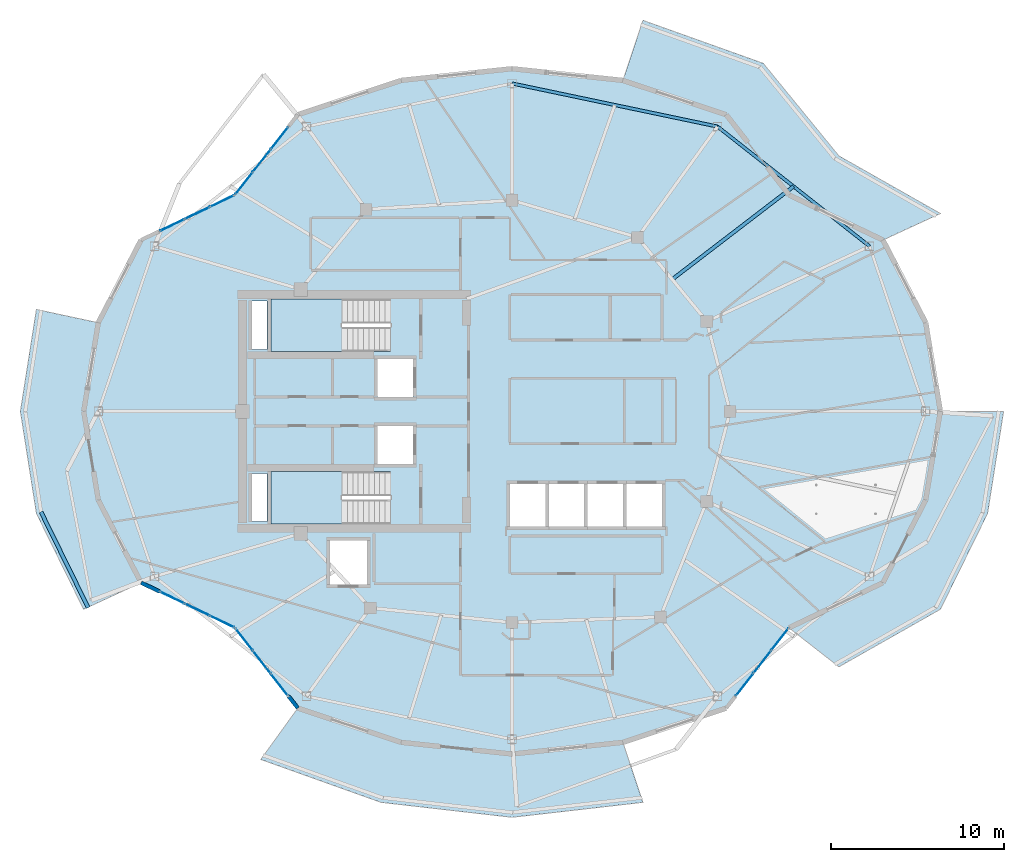
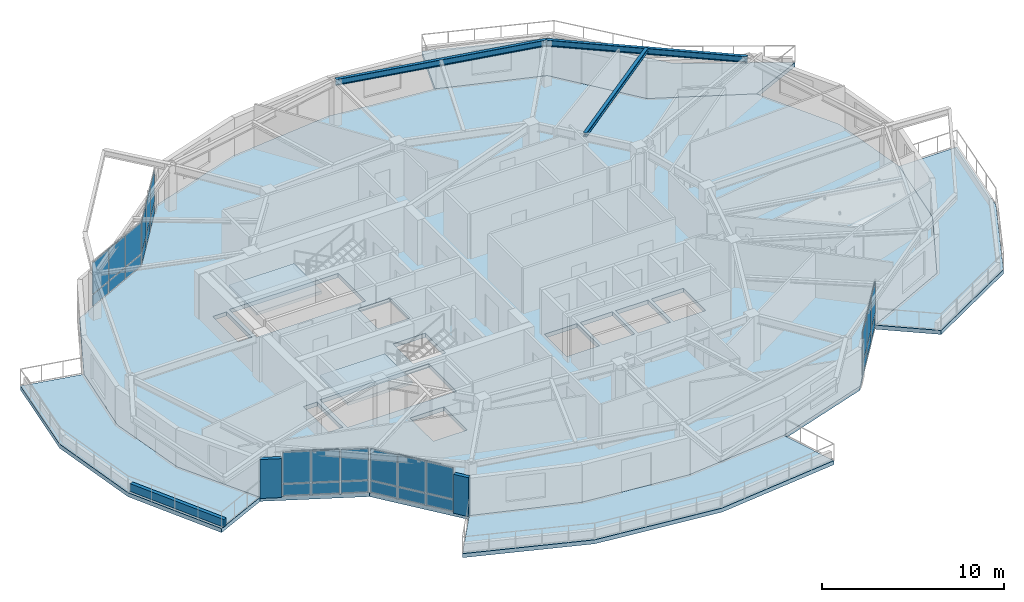
# One storey, part 6 of 16: 35 plates, 7 slabs, 3 beams, 3 walls, 7 elements without a shape of their own.
"""IFC4 building model written with IfcOpenShell, lengths in metres."""

from ifc_helpers import new_model, si_unit, direction, frame, frame_2d, origin, origin_2d, place, context, subcontext, project, spatial, polyline, rectangle, i_section, outline, extrude, material, layer, layer_set, material_profile, profile_set, type_object, element, aggregate, save


model = new_model("IFC4")

# Units and contexts
model_context = context("Model", 3, precision=1e-05, world=origin(), true_north=direction((0.0, 1.0)))
body_context = subcontext(model_context, "Body", "Model", "MODEL_VIEW")
ifc_project = project(units=[si_unit("LENGTHUNIT", "METRE"), si_unit("AREAUNIT", "SQUARE_METRE"), si_unit("VOLUMEUNIT", "CUBIC_METRE"), si_unit("PLANEANGLEUNIT", "RADIAN"), si_unit("MASSUNIT", "GRAM", prefix="KILO")], contexts=[model_context])

# Site, building, storey
site_placement = place(None, origin())
site = spatial("IfcSite", under=ifc_project, at=site_placement, CompositionType="ELEMENT")
building_placement = place(site_placement, origin())
building = spatial("IfcBuilding", under=site, at=building_placement, Name="Kolvaren Gate Tower and Convention Centre", CompositionType="ELEMENT")
storey_placement = place(building_placement, frame((0.0, 0.0, 219.5)))
storey = spatial("IfcBuildingStorey", under=building, at=storey_placement, Name="L58", CompositionType="ELEMENT", Elevation=219.5)

# Beams
ifc_material_1 = material(Name="Structural steel ASTM A992 Grade 345 MPa", Category="steel")
ifc_material_profile_1 = material_profile(ifc_material_1, i_section(OverallWidth=0.202880859375, OverallDepth=0.251953125, WebThickness=0.008056640625, FlangeThickness=0.013427734375, at=origin_2d()), Name="W250X58")
ifc_profile_set_1 = profile_set([ifc_material_profile_1], Name="Structural steel ASTM A992 Grade 345 MPa")
beam_type_1 = type_object("IfcBeamType", Name="STR-JS-W250X58", PredefinedType="JOIST", material=ifc_profile_set_1)
beam_1_placement = place(storey_placement, frame((39.3818359375, 34.627197265625, 2.904052734375), z_axis=(0.793783340844, 0.608200631205, 0.0), x_axis=(-0.608200631205, 0.793783340844, 0.0)))
element("IfcBeam", 1, at=beam_1_placement, inside=storey, type_object=beam_type_1, Name="Tower L58 Secondary Composite Floor Joist J-02.1", PredefinedType="JOIST", context=body_context, shape_type="SweptSolid", body=[
    extrude(i_section(OverallWidth=0.202880859375, OverallDepth=0.251953125, WebThickness=0.008056640625, FlangeThickness=0.013427734375, at=origin_2d()), origin(), (0.0, 0.0, 1.0), 8.835205078125),
])
ifc_material_profile_2 = material_profile(ifc_material_1, i_section(OverallWidth=0.180908203125, OverallDepth=0.4169921875, WebThickness=0.010986328125, FlangeThickness=0.018310546875, at=origin_2d()), Name="W410X85")
ifc_profile_set_2 = profile_set([ifc_material_profile_2], Name="Structural steel ASTM A992 Grade 345 MPa")
beam_type_2 = type_object("IfcBeamType", Name="STR-SP-W410X85", PredefinedType="SPANDREL", material=ifc_profile_set_2)
beam_2_placement = place(storey_placement, frame((50.787353515625, 36.543701171875, 2.821533203125), z_axis=(-0.78579365551, 0.618488747643, 0.0), x_axis=(-0.618488747643, -0.78579365551, 0.0)))
element("IfcBeam", 2, at=beam_2_placement, inside=storey, type_object=beam_type_2, Name="Tower L58 Perimeter Spandrel Beam SP-02", PredefinedType="SPANDREL", context=body_context, shape_type="SweptSolid", body=[
    extrude(i_section(OverallWidth=0.180908203125, OverallDepth=0.4169921875, WebThickness=0.010986328125, FlangeThickness=0.018310546875, at=origin_2d()), origin(), (0.0, 0.0, 1.0), 11.179443359375),
])
beam_3_placement = place(storey_placement, frame((42.002685546875, 43.4580078125, 2.821533203125), z_axis=(-0.978692765917, 0.205330148645, 0.0), x_axis=(-0.205330148645, -0.978692765917, 0.0)))
element("IfcBeam", 3, at=beam_3_placement, inside=storey, type_object=beam_type_2, Name="Tower L58 Perimeter Spandrel Beam SP-03", PredefinedType="SPANDREL", context=body_context, shape_type="SweptSolid", body=[
    extrude(i_section(OverallWidth=0.180908203125, OverallDepth=0.4169921875, WebThickness=0.010986328125, FlangeThickness=0.018310546875, at=origin_2d()), origin(), (0.0, 0.0, 1.0), 12.13623046875),
])

# Plates
ifc_material_2 = material(Name="Perforated Anodized Bronze Aluminium Sheet 6 mm", Category="aluminium")
ifc_layer_1 = layer(ifc_material_2, 0.011962890625)
ifc_layer_set_1 = layer_set([ifc_layer_1], Name="Perforated Anodized Bronze Aluminium Sheet 6 mm")
plate_type_1 = type_object("IfcPlateType", Name="ARCH-PL-SCREEN-PERF", PredefinedType="SHEET", material=ifc_layer_set_1)
for number, where, z_axis, x_axis, name in (
    (4, (15.93359375, 41.827392578125, 2.18994140625), (0.0, 0.0, 1.0), (0.616434119112, 0.787406487651, 0.0), "Tower L58 Perforated Bronze Solar Screen SS-08"),
    (5, (11.404296875, 38.20361328125, 2.18994140625), (0.0, 0.0, 1.0), (0.90135914581, 0.433072384555, 0.0), "Tower L58 Perforated Bronze Solar Screen SS-09"),
    (6, (11.404296875, 15.79638671875, 2.18994140625), (0.0, 0.0, 1.0), (0.90135914581, -0.433072384555, 0.0), "Tower L58 Perforated Bronze Solar Screen SS-14"),
    (7, (15.93359375, 12.172607421875, 2.18994140625), (0.0, 0.0, 1.0), (0.616434119112, -0.787406487651, 0.0), "Tower L58 Perforated Bronze Solar Screen SS-15"),
    (8, (44.316162109375, 12.172607421875, 2.18994140625), (0.0, 0.0, 1.0), (0.616434119112, 0.787406487651, 0.0), "Tower L58 Perforated Bronze Solar Screen SS-20"),
):
    element("IfcPlate", number, at=place(storey_placement, frame(where, z_axis=z_axis, x_axis=x_axis)), inside=storey, type_object=plate_type_1, Name=name, PredefinedType="SHEET", context=body_context, shape_type="SweptSolid", body=[
        extrude(rectangle(XDim=2.60009765625, YDim=0.011962890625, at=origin_2d()), origin(), (0.0, 0.0, 1.0), 0.840087890625),
    ])

# Curtain wall, plates
ifc_material_3 = material(Name="Anodized Architectural Aluminium Alloy 6063-T6", Category="aluminium")
ifc_layer_2 = layer(ifc_material_3, 0.159912109375)
ifc_layer_set_2 = layer_set([ifc_layer_2], Name="Anodized Architectural Aluminium Alloy 6063-T6")
curtain_wall_type = type_object("IfcCurtainWallType", Name="CW-RES-UNIT", PredefinedType="NOTDEFINED", material=ifc_layer_set_2)
curtain_wall_1_placement = place(storey_placement, origin())
curtain_wall_1 = element("IfcCurtainWall", 9, at=curtain_wall_1_placement, inside=storey, type_object=curtain_wall_type, Name="Tower L58 Unitised Curtain Wall CW-RES-UNIT Bay 08", PredefinedType="NOTDEFINED")
ifc_material_4 = material(Name="Low-E Triple Insulated Glazing Unit 44 mm", Category="glass")
ifc_layer_3 = layer(ifc_material_4, 0.0439453125)
ifc_layer_set_3 = layer_set([ifc_layer_3], Name="Low-E Triple Insulated Glazing Unit 44 mm")
plate_type_2 = type_object("IfcPlateType", Name="CW-PL-IGU-44", PredefinedType="CURTAIN_PANEL", material=ifc_layer_set_3)
plate_1_placement = place(storey_placement, frame((14.64306640625, 40.178466796875, 0.882568359375), z_axis=(0.0, 0.0, 1.0), x_axis=(0.616429718179, 0.787409932974, 0.0)))
plate_1 = element("IfcPlate", 10, at=plate_1_placement, type_object=plate_type_2, Name="CW-04 panel 1.2", PredefinedType="CURTAIN_PANEL", context=body_context, shape_type="SweptSolid", body=[
    extrude(rectangle(XDim=1.57470703125, YDim=0.0439453125, at=origin_2d()), origin(), (0.0, 0.0, 1.0), 2.08251953125),
])
plate_2_placement = place(storey_placement, frame((15.663818359375, 41.482421875, 0.882568359375), z_axis=(0.0, 0.0, 1.0), x_axis=(0.616429718179, 0.787409932974, 0.0)))
plate_2 = element("IfcPlate", 11, at=plate_2_placement, type_object=plate_type_2, Name="CW-04 panel 2.2", PredefinedType="CURTAIN_PANEL", context=body_context, shape_type="SweptSolid", body=[
    extrude(rectangle(XDim=1.607421875, YDim=0.0439453125, at=origin_2d()), origin(), (0.0, 0.0, 1.0), 2.08251953125),
])
plate_3_placement = place(storey_placement, frame((16.6845703125, 42.78662109375, 0.882568359375), z_axis=(0.0, 0.0, 1.0), x_axis=(0.616429718179, 0.787409932974, 0.0)))
plate_3 = element("IfcPlate", 12, at=plate_3_placement, type_object=plate_type_2, Name="CW-04 panel 3.2", PredefinedType="CURTAIN_PANEL", context=body_context, shape_type="SweptSolid", body=[
    extrude(rectangle(XDim=1.57470703125, YDim=0.0439453125, at=origin_2d()), origin(), (0.0, 0.0, 1.0), 2.08251953125),
])

curtain_wall_2_placement = place(storey_placement, origin())
curtain_wall_2 = element("IfcCurtainWall", 13, at=curtain_wall_2_placement, inside=storey, type_object=curtain_wall_type, Name="Tower L58 Unitised Curtain Wall CW-RES-UNIT Bay 09", PredefinedType="NOTDEFINED")
plate_4_placement = place(storey_placement, frame((10.4970703125, 37.767822265625, 0.882568359375), z_axis=(0.0, 0.0, 1.0), x_axis=(0.901362416644, 0.433065576861, 0.0)))
plate_4 = element("IfcPlate", 14, at=plate_4_placement, type_object=plate_type_2, Name="CW-04 panel 1.2", PredefinedType="CURTAIN_PANEL", context=body_context, shape_type="SweptSolid", body=[
    extrude(rectangle(XDim=1.515625, YDim=0.0439453125, at=origin_2d()), origin(), (0.0, 0.0, 1.0), 2.08251953125),
])
plate_5_placement = place(storey_placement, frame((11.9365234375, 38.45947265625, 0.882568359375), z_axis=(0.0, 0.0, 1.0), x_axis=(0.901362416644, 0.433065576861, 0.0)))
plate_5 = element("IfcPlate", 15, at=plate_5_placement, type_object=plate_type_2, Name="CW-04 panel 2.2", PredefinedType="CURTAIN_PANEL", context=body_context, shape_type="SweptSolid", body=[
    extrude(rectangle(XDim=1.548095703125, YDim=0.0439453125, at=origin_2d()), origin(), (0.0, 0.0, 1.0), 2.08251953125),
])
plate_6_placement = place(storey_placement, frame((13.375732421875, 39.15087890625, 0.882568359375), z_axis=(0.0, 0.0, 1.0), x_axis=(0.901362416644, 0.433065576861, 0.0)))
plate_6 = element("IfcPlate", 16, at=plate_6_placement, type_object=plate_type_2, Name="CW-04 panel 3.2", PredefinedType="CURTAIN_PANEL", context=body_context, shape_type="SweptSolid", body=[
    extrude(rectangle(XDim=1.515625, YDim=0.0439453125, at=origin_2d()), origin(), (0.0, 0.0, 1.0), 2.08251953125),
])

curtain_wall_3_placement = place(storey_placement, origin())
curtain_wall_3 = element("IfcCurtainWall", 17, at=curtain_wall_3_placement, inside=storey, type_object=curtain_wall_type, Name="Tower L58 Unitised Curtain Wall CW-RES-UNIT Bay 14", PredefinedType="NOTDEFINED")
plate_7_placement = place(storey_placement, frame((10.4970703125, 16.232177734375, 0.882568359375), z_axis=(0.0, 0.0, 1.0), x_axis=(0.901362416644, -0.433065576861, 0.0)))
plate_7 = element("IfcPlate", 18, at=plate_7_placement, type_object=plate_type_2, Name="CW-04 panel 1.2", PredefinedType="CURTAIN_PANEL", context=body_context, shape_type="SweptSolid", body=[
    extrude(rectangle(XDim=1.515625, YDim=0.0439453125, at=origin_2d()), origin(), (0.0, 0.0, 1.0), 2.08251953125),
])
plate_8_placement = place(storey_placement, frame((11.9365234375, 15.54052734375, 0.882568359375), z_axis=(0.0, 0.0, 1.0), x_axis=(0.901362416644, -0.433065576861, 0.0)))
plate_8 = element("IfcPlate", 19, at=plate_8_placement, type_object=plate_type_2, Name="CW-04 panel 2.2", PredefinedType="CURTAIN_PANEL", context=body_context, shape_type="SweptSolid", body=[
    extrude(rectangle(XDim=1.548095703125, YDim=0.0439453125, at=origin_2d()), origin(), (0.0, 0.0, 1.0), 2.08251953125),
])
plate_9_placement = place(storey_placement, frame((13.375732421875, 14.84912109375, 0.882568359375), z_axis=(0.0, 0.0, 1.0), x_axis=(0.901362416644, -0.433065576861, 0.0)))
plate_9 = element("IfcPlate", 20, at=plate_9_placement, type_object=plate_type_2, Name="CW-04 panel 3.2", PredefinedType="CURTAIN_PANEL", context=body_context, shape_type="SweptSolid", body=[
    extrude(rectangle(XDim=1.515625, YDim=0.0439453125, at=origin_2d()), origin(), (0.0, 0.0, 1.0), 2.08251953125),
])

curtain_wall_4_placement = place(storey_placement, origin())
curtain_wall_4 = element("IfcCurtainWall", 21, at=curtain_wall_4_placement, inside=storey, type_object=curtain_wall_type, Name="Tower L58 Unitised Curtain Wall CW-RES-UNIT Bay 15", PredefinedType="NOTDEFINED")
plate_10_placement = place(storey_placement, frame((14.64306640625, 13.821533203125, 0.882568359375), z_axis=(0.0, 0.0, 1.0), x_axis=(0.616429718179, -0.787409932974, 0.0)))
plate_10 = element("IfcPlate", 22, at=plate_10_placement, type_object=plate_type_2, Name="CW-04 panel 1.2", PredefinedType="CURTAIN_PANEL", context=body_context, shape_type="SweptSolid", body=[
    extrude(rectangle(XDim=1.57470703125, YDim=0.0439453125, at=origin_2d()), origin(), (0.0, 0.0, 1.0), 2.08251953125),
])
plate_11_placement = place(storey_placement, frame((15.663818359375, 12.517578125, 0.882568359375), z_axis=(0.0, 0.0, 1.0), x_axis=(0.616429718179, -0.787409932974, 0.0)))
plate_11 = element("IfcPlate", 23, at=plate_11_placement, type_object=plate_type_2, Name="CW-04 panel 2.2", PredefinedType="CURTAIN_PANEL", context=body_context, shape_type="SweptSolid", body=[
    extrude(rectangle(XDim=1.607421875, YDim=0.0439453125, at=origin_2d()), origin(), (0.0, 0.0, 1.0), 2.08251953125),
])
plate_12_placement = place(storey_placement, frame((16.6845703125, 11.21337890625, 0.882568359375), z_axis=(0.0, 0.0, 1.0), x_axis=(0.616429718179, -0.787409932974, 0.0)))
plate_12 = element("IfcPlate", 24, at=plate_12_placement, type_object=plate_type_2, Name="CW-04 panel 3.2", PredefinedType="CURTAIN_PANEL", context=body_context, shape_type="SweptSolid", body=[
    extrude(rectangle(XDim=1.57470703125, YDim=0.0439453125, at=origin_2d()), origin(), (0.0, 0.0, 1.0), 2.08251953125),
])

curtain_wall_5_placement = place(storey_placement, origin())
curtain_wall_5 = element("IfcCurtainWall", 25, at=curtain_wall_5_placement, inside=storey, type_object=curtain_wall_type, Name="Tower L58 Unitised Curtain Wall CW-RES-UNIT Bay 20", PredefinedType="NOTDEFINED")
plate_13_placement = place(storey_placement, frame((43.5654296875, 11.213623046875, 0.882568359375), z_axis=(0.0, 0.0, 1.0), x_axis=(0.616436709784, 0.787404459493, 0.0)))
plate_13 = element("IfcPlate", 26, at=plate_13_placement, type_object=plate_type_2, Name="CW-04 panel 1.2", PredefinedType="CURTAIN_PANEL", context=body_context, shape_type="SweptSolid", body=[
    extrude(rectangle(XDim=1.57470703125, YDim=0.0439453125, at=origin_2d()), origin(), (0.0, 0.0, 1.0), 2.08251953125),
])
plate_14_placement = place(storey_placement, frame((44.586181640625, 12.517578125, 0.882568359375), z_axis=(0.0, 0.0, 1.0), x_axis=(0.616436709784, 0.787404459493, 0.0)))
plate_14 = element("IfcPlate", 27, at=plate_14_placement, type_object=plate_type_2, Name="CW-04 panel 2.2", PredefinedType="CURTAIN_PANEL", context=body_context, shape_type="SweptSolid", body=[
    extrude(rectangle(XDim=1.607177734375, YDim=0.0439453125, at=origin_2d()), origin(), (0.0, 0.0, 1.0), 2.08251953125),
])
plate_15_placement = place(storey_placement, frame((45.607177734375, 13.821533203125, 0.882568359375), z_axis=(0.0, 0.0, 1.0), x_axis=(0.616436709784, 0.787404459493, 0.0)))
plate_15 = element("IfcPlate", 28, at=plate_15_placement, type_object=plate_type_2, Name="CW-04 panel 3.2", PredefinedType="CURTAIN_PANEL", context=body_context, shape_type="SweptSolid", body=[
    extrude(rectangle(XDim=1.57470703125, YDim=0.0439453125, at=origin_2d()), origin(), (0.0, 0.0, 1.0), 2.08251953125),
])

# Plate
ifc_material_5 = material(Name="Solar-Control Laminated Curtain Glazing 36 mm", Category="glass")
ifc_layer_4 = layer(ifc_material_5, 0.035888671875)
ifc_layer_set_4 = layer_set([ifc_layer_4], Name="Solar-Control Laminated Curtain Glazing 36 mm")
plate_type_3 = type_object("IfcPlateType", Name="CW-PL-SPAN-36", PredefinedType="CURTAIN_PANEL", material=ifc_layer_set_4)
plate_16_placement = place(storey_placement, frame((14.64306640625, 40.178466796875, 0.06494140625), z_axis=(0.0, 0.0, 1.0), x_axis=(0.616429718179, 0.787409932974, 0.0)))
plate_16 = element("IfcPlate", 29, at=plate_16_placement, type_object=plate_type_3, Name="CW-04 panel 1.1", PredefinedType="CURTAIN_PANEL", context=body_context, shape_type="SweptSolid", body=[
    extrude(rectangle(XDim=1.57470703125, YDim=0.035888671875, at=origin_2d()), origin(), (0.0, 0.0, 1.0), 0.75244140625),
])

plate_17_placement = place(storey_placement, frame((15.663818359375, 41.482421875, 0.06494140625), z_axis=(0.0, 0.0, 1.0), x_axis=(0.616429718179, 0.787409932974, 0.0)))
plate_17 = element("IfcPlate", 30, at=plate_17_placement, type_object=plate_type_3, Name="CW-04 panel 2.1", PredefinedType="CURTAIN_PANEL", context=body_context, shape_type="SweptSolid", body=[
    extrude(rectangle(XDim=1.607421875, YDim=0.035888671875, at=origin_2d()), origin(), (0.0, 0.0, 1.0), 0.75244140625),
])

plate_18_placement = place(storey_placement, frame((16.6845703125, 42.78662109375, 0.06494140625), z_axis=(0.0, 0.0, 1.0), x_axis=(0.616429718179, 0.787409932974, 0.0)))
plate_18 = element("IfcPlate", 31, at=plate_18_placement, type_object=plate_type_3, Name="CW-04 panel 3.1", PredefinedType="CURTAIN_PANEL", context=body_context, shape_type="SweptSolid", body=[
    extrude(rectangle(XDim=1.57470703125, YDim=0.035888671875, at=origin_2d()), origin(), (0.0, 0.0, 1.0), 0.75244140625),
])

aggregate(curtain_wall_1, [plate_16, plate_1, plate_17, plate_2, plate_18, plate_3])

plate_19_placement = place(storey_placement, frame((10.4970703125, 37.767822265625, 0.06494140625), z_axis=(0.0, 0.0, 1.0), x_axis=(0.901362416644, 0.433065576861, 0.0)))
plate_19 = element("IfcPlate", 32, at=plate_19_placement, type_object=plate_type_3, Name="CW-04 panel 1.1", PredefinedType="CURTAIN_PANEL", context=body_context, shape_type="SweptSolid", body=[
    extrude(rectangle(XDim=1.515625, YDim=0.035888671875, at=origin_2d()), origin(), (0.0, 0.0, 1.0), 0.75244140625),
])

plate_20_placement = place(storey_placement, frame((11.9365234375, 38.45947265625, 0.06494140625), z_axis=(0.0, 0.0, 1.0), x_axis=(0.901362416644, 0.433065576861, 0.0)))
plate_20 = element("IfcPlate", 33, at=plate_20_placement, type_object=plate_type_3, Name="CW-04 panel 2.1", PredefinedType="CURTAIN_PANEL", context=body_context, shape_type="SweptSolid", body=[
    extrude(rectangle(XDim=1.548095703125, YDim=0.035888671875, at=origin_2d()), origin(), (0.0, 0.0, 1.0), 0.75244140625),
])

plate_21_placement = place(storey_placement, frame((13.375732421875, 39.15087890625, 0.06494140625), z_axis=(0.0, 0.0, 1.0), x_axis=(0.901362416644, 0.433065576861, 0.0)))
plate_21 = element("IfcPlate", 34, at=plate_21_placement, type_object=plate_type_3, Name="CW-04 panel 3.1", PredefinedType="CURTAIN_PANEL", context=body_context, shape_type="SweptSolid", body=[
    extrude(rectangle(XDim=1.515625, YDim=0.035888671875, at=origin_2d()), origin(), (0.0, 0.0, 1.0), 0.75244140625),
])

aggregate(curtain_wall_2, [plate_19, plate_4, plate_20, plate_5, plate_21, plate_6])

plate_22_placement = place(storey_placement, frame((10.4970703125, 16.232177734375, 0.06494140625), z_axis=(0.0, 0.0, 1.0), x_axis=(0.901362416644, -0.433065576861, 0.0)))
plate_22 = element("IfcPlate", 35, at=plate_22_placement, type_object=plate_type_3, Name="CW-04 panel 1.1", PredefinedType="CURTAIN_PANEL", context=body_context, shape_type="SweptSolid", body=[
    extrude(rectangle(XDim=1.515625, YDim=0.035888671875, at=origin_2d()), origin(), (0.0, 0.0, 1.0), 0.75244140625),
])

plate_23_placement = place(storey_placement, frame((11.9365234375, 15.54052734375, 0.06494140625), z_axis=(0.0, 0.0, 1.0), x_axis=(0.901362416644, -0.433065576861, 0.0)))
plate_23 = element("IfcPlate", 36, at=plate_23_placement, type_object=plate_type_3, Name="CW-04 panel 2.1", PredefinedType="CURTAIN_PANEL", context=body_context, shape_type="SweptSolid", body=[
    extrude(rectangle(XDim=1.548095703125, YDim=0.035888671875, at=origin_2d()), origin(), (0.0, 0.0, 1.0), 0.75244140625),
])

plate_24_placement = place(storey_placement, frame((13.375732421875, 14.84912109375, 0.06494140625), z_axis=(0.0, 0.0, 1.0), x_axis=(0.901362416644, -0.433065576861, 0.0)))
plate_24 = element("IfcPlate", 37, at=plate_24_placement, type_object=plate_type_3, Name="CW-04 panel 3.1", PredefinedType="CURTAIN_PANEL", context=body_context, shape_type="SweptSolid", body=[
    extrude(rectangle(XDim=1.515625, YDim=0.035888671875, at=origin_2d()), origin(), (0.0, 0.0, 1.0), 0.75244140625),
])

aggregate(curtain_wall_3, [plate_22, plate_7, plate_23, plate_8, plate_24, plate_9])

plate_25_placement = place(storey_placement, frame((14.64306640625, 13.821533203125, 0.06494140625), z_axis=(0.0, 0.0, 1.0), x_axis=(0.616429718179, -0.787409932974, 0.0)))
plate_25 = element("IfcPlate", 38, at=plate_25_placement, type_object=plate_type_3, Name="CW-04 panel 1.1", PredefinedType="CURTAIN_PANEL", context=body_context, shape_type="SweptSolid", body=[
    extrude(rectangle(XDim=1.57470703125, YDim=0.035888671875, at=origin_2d()), origin(), (0.0, 0.0, 1.0), 0.75244140625),
])

plate_26_placement = place(storey_placement, frame((15.663818359375, 12.517578125, 0.06494140625), z_axis=(0.0, 0.0, 1.0), x_axis=(0.616429718179, -0.787409932974, 0.0)))
plate_26 = element("IfcPlate", 39, at=plate_26_placement, type_object=plate_type_3, Name="CW-04 panel 2.1", PredefinedType="CURTAIN_PANEL", context=body_context, shape_type="SweptSolid", body=[
    extrude(rectangle(XDim=1.607421875, YDim=0.035888671875, at=origin_2d()), origin(), (0.0, 0.0, 1.0), 0.75244140625),
])

plate_27_placement = place(storey_placement, frame((16.6845703125, 11.21337890625, 0.06494140625), z_axis=(0.0, 0.0, 1.0), x_axis=(0.616429718179, -0.787409932974, 0.0)))
plate_27 = element("IfcPlate", 40, at=plate_27_placement, type_object=plate_type_3, Name="CW-04 panel 3.1", PredefinedType="CURTAIN_PANEL", context=body_context, shape_type="SweptSolid", body=[
    extrude(rectangle(XDim=1.57470703125, YDim=0.035888671875, at=origin_2d()), origin(), (0.0, 0.0, 1.0), 0.75244140625),
])

aggregate(curtain_wall_4, [plate_25, plate_10, plate_26, plate_11, plate_27, plate_12])

plate_28_placement = place(storey_placement, frame((43.5654296875, 11.213623046875, 0.06494140625), z_axis=(0.0, 0.0, 1.0), x_axis=(0.616436709784, 0.787404459493, 0.0)))
plate_28 = element("IfcPlate", 41, at=plate_28_placement, type_object=plate_type_3, Name="CW-04 panel 1.1", PredefinedType="CURTAIN_PANEL", context=body_context, shape_type="SweptSolid", body=[
    extrude(rectangle(XDim=1.57470703125, YDim=0.035888671875, at=origin_2d()), origin(), (0.0, 0.0, 1.0), 0.75244140625),
])

plate_29_placement = place(storey_placement, frame((44.586181640625, 12.517578125, 0.06494140625), z_axis=(0.0, 0.0, 1.0), x_axis=(0.616436709784, 0.787404459493, 0.0)))
plate_29 = element("IfcPlate", 42, at=plate_29_placement, type_object=plate_type_3, Name="CW-04 panel 2.1", PredefinedType="CURTAIN_PANEL", context=body_context, shape_type="SweptSolid", body=[
    extrude(rectangle(XDim=1.607177734375, YDim=0.035888671875, at=origin_2d()), origin(), (0.0, 0.0, 1.0), 0.75244140625),
])

plate_30_placement = place(storey_placement, frame((45.607177734375, 13.821533203125, 0.06494140625), z_axis=(0.0, 0.0, 1.0), x_axis=(0.616436709784, 0.787404459493, 0.0)))
plate_30 = element("IfcPlate", 43, at=plate_30_placement, type_object=plate_type_3, Name="CW-04 panel 3.1", PredefinedType="CURTAIN_PANEL", context=body_context, shape_type="SweptSolid", body=[
    extrude(rectangle(XDim=1.57470703125, YDim=0.035888671875, at=origin_2d()), origin(), (0.0, 0.0, 1.0), 0.75244140625),
])

aggregate(curtain_wall_5, [plate_28, plate_13, plate_29, plate_14, plate_30, plate_15])

# Slabs
ifc_material_6 = material(Name="Concrete C50/60", Category="concrete")
ifc_layer_5 = layer(ifc_material_6, 0.27001953125)
ifc_layer_set_5 = layer_set([ifc_layer_5], Name="Concrete C50/60")
slab_type_1 = type_object("IfcSlabType", Name="STR-SL-BALC-270", PredefinedType="FLOOR", material=ifc_layer_set_5)
slab_1_placement = place(storey_placement, frame((0.0, 0.0, -0.27001953125)))
element("IfcSlab", 44, at=slab_1_placement, inside=storey, type_object=slab_type_1, Name="Tower L58 Planted Balcony Terrace Slab 1 (North)", PredefinedType="FLOOR", context=body_context, shape_type="SweptSolid", body=[
    extrude(outline(polyline([(51.55908203125, 36.89990234375), (46.132568359375, 39.50732421875), (42.5, 44.147216796875), (36.53076171875, 46.125244140625), (37.693115234375, 49.595703125), (44.641845703125, 47.114990234375), (49.0166015625, 41.7607421875), (54.8818359375, 38.434814453125), (51.55908203125, 36.89990234375)])), origin(), (0.0, 0.0, 1.0), 0.27001953125),
])
slab_2_placement = place(storey_placement, frame((0.0, 0.0, -0.27001953125)))
element("IfcSlab", 45, at=slab_2_placement, inside=storey, type_object=slab_type_1, Name="Tower L58 Planted Balcony Terrace Slab 2 (West)", PredefinedType="FLOOR", context=body_context, shape_type="SweptSolid", body=[
    extrude(outline(polyline([(6.21826171875, 32.12451171875), (5.375, 27.0), (6.21826171875, 21.87548828125), (8.69091796875, 17.10009765625), (5.3681640625, 15.565185546875), (2.6396484375, 21.1083984375), (1.715087890625, 27.0), (2.6396484375, 32.8916015625), (6.21826171875, 32.12451171875)])), origin(), (0.0, 0.0, 1.0), 0.27001953125),
])
slab_3_placement = place(storey_placement, frame((0.0, 0.0, -0.27001953125)))
element("IfcSlab", 46, at=slab_3_placement, inside=storey, type_object=slab_type_1, Name="Tower L58 Planted Balcony Terrace Slab 3 (South)", PredefinedType="FLOOR", context=body_context, shape_type="SweptSolid", body=[
    extrude(outline(polyline([(17.75, 9.852783203125), (23.71923828125, 7.874755859375), (30.125, 7.199951171875), (36.53076171875, 7.874755859375), (37.693115234375, 4.404296875), (30.125, 3.5400390625), (22.556884765625, 4.404296875), (15.608154296875, 6.885009765625), (17.75, 9.852783203125)])), origin(), (0.0, 0.0, 1.0), 0.27001953125),
])
slab_4_placement = place(storey_placement, frame((0.0, 0.0, -0.27001953125)))
element("IfcSlab", 47, at=slab_4_placement, inside=storey, type_object=slab_type_1, Name="Tower L58 Planted Balcony Terrace Slab 4 (East)", PredefinedType="FLOOR", context=body_context, shape_type="SweptSolid", body=[
    extrude(outline(polyline([(46.132568359375, 14.49267578125), (51.55908203125, 17.10009765625), (54.03173828125, 21.87548828125), (54.875, 27.0), (58.534912109375, 27.0), (57.6103515625, 21.1083984375), (54.8818359375, 15.565185546875), (49.0166015625, 12.2392578125), (46.132568359375, 14.49267578125)])), origin(), (0.0, 0.0, 1.0), 0.27001953125),
])
ifc_material_7 = material(Name="Concrete C40/50", Category="concrete")
ifc_layer_6 = layer(ifc_material_7, 0.27001953125)
ifc_layer_set_6 = layer_set([ifc_layer_6], Name="Concrete C40/50")
slab_type_2 = type_object("IfcSlabType", Name="STR-SL-FLR-270", PredefinedType="FLOOR", material=ifc_layer_set_6)
slab_5_placement = place(storey_placement, frame((0.0, 0.0, -0.27001953125)))
element("IfcSlab", 48, at=slab_5_placement, inside=storey, type_object=slab_type_2, Name="Tower L58 Structural Floor Slab", PredefinedType="FLOOR", context=body_context, shape_type="SweptSolid", body=[
    extrude(outline(polyline([(54.875, 27.0), (54.03173828125, 32.12451171875), (51.55908203125, 36.89990234375), (46.132568359375, 39.50732421875), (42.5, 44.147216796875), (36.53076171875, 46.125244140625), (30.125, 46.800048828125), (23.71923828125, 46.125244140625), (17.75, 44.147216796875), (14.117431640625, 39.50732421875), (8.69091796875, 36.89990234375), (6.21826171875, 32.12451171875), (5.375, 27.0), (6.21826171875, 21.87548828125), (8.69091796875, 17.10009765625), (14.117431640625, 14.49267578125), (17.75, 9.852783203125), (23.71923828125, 7.874755859375), (30.125, 7.199951171875), (36.53076171875, 7.874755859375), (42.5, 9.852783203125), (46.132568359375, 14.49267578125), (51.55908203125, 17.10009765625), (54.03173828125, 21.87548828125), (54.875, 27.0)]), holes=[polyline([(36.75, 20.35009765625), (36.75, 22.800048828125), (38.800048828125, 22.800048828125), (38.800048828125, 20.35009765625), (36.75, 20.35009765625)]), polyline([(36.550048828125, 20.35009765625), (34.5, 20.35009765625), (34.5, 22.800048828125), (36.550048828125, 22.800048828125), (36.550048828125, 20.35009765625)]), polyline([(32.25, 20.35009765625), (32.25, 22.800048828125), (34.300048828125, 22.800048828125), (34.300048828125, 20.35009765625), (32.25, 20.35009765625)]), polyline([(30.0, 20.35009765625), (30.0, 22.800048828125), (32.050048828125, 22.800048828125), (32.050048828125, 20.35009765625), (30.0, 20.35009765625)]), polyline([(22.35009765625, 23.9599609375), (22.35009765625, 26.159912109375), (24.39990234375, 26.159912109375), (24.39990234375, 23.9599609375), (22.35009765625, 23.9599609375)]), polyline([(22.35009765625, 27.840087890625), (22.35009765625, 30.0400390625), (24.39990234375, 30.0400390625), (24.39990234375, 27.840087890625), (22.35009765625, 27.840087890625)]), polyline([(16.199951171875, 23.5400390625), (23.10009765625, 23.5400390625), (23.10009765625, 20.5), (16.199951171875, 20.5), (16.199951171875, 23.5400390625)]), polyline([(16.199951171875, 33.5), (23.10009765625, 33.5), (23.10009765625, 30.4599609375), (16.199951171875, 30.4599609375), (16.199951171875, 33.5)]), polyline([(21.75, 17.0), (19.60009765625, 17.0), (19.60009765625, 19.550048828125), (21.75, 19.550048828125), (21.75, 17.0)]), polyline([(15.080078125, 30.580078125), (15.080078125, 33.3701171875), (15.969970703125, 33.3701171875), (15.969970703125, 30.580078125), (15.080078125, 30.580078125)]), polyline([(15.969970703125, 20.6298828125), (15.080078125, 20.6298828125), (15.080078125, 23.419921875), (15.969970703125, 23.419921875), (15.969970703125, 20.6298828125)])]), origin(), (0.0, 0.0, 1.0), 0.27001953125),
])

# Stair, slab
stair_type = type_object("IfcStairType", Name="STR-STAIR-CORE", PredefinedType="HALF_TURN_STAIR", material=ifc_material_6)
stair_1_placement = place(storey_placement, origin())
stair_1 = element("IfcStair", 49, at=stair_1_placement, inside=storey, type_object=stair_type, Name="L58 Tower North Exit Stair ST-T1", PredefinedType="HALF_TURN_STAIR")
ifc_layer_7 = layer(ifc_material_6, 0.199951171875)
ifc_layer_set_7 = layer_set([ifc_layer_7], Name="Concrete C50/60")
slab_type_3 = type_object("IfcSlabType", Name="STR-SL-LAND-200", PredefinedType="LANDING", material=ifc_layer_set_7)
slab_6_placement = place(storey_placement, frame((0.0, 0.0, 1.449951171875)))
slab_6 = element("IfcSlab", 50, at=slab_6_placement, type_object=slab_type_3, Name="ST-T1 landing 1", PredefinedType="LANDING", context=body_context, shape_type="SweptSolid", body=[
    extrude(outline(polyline([(20.31005859375, 33.5), (16.199951171875, 33.5), (16.199951171875, 30.4599609375), (20.31005859375, 30.4599609375), (20.31005859375, 33.5)])), origin(), (0.0, 0.0, 1.0), 0.199951171875),
])
aggregate(stair_1, [slab_6])

stair_2_placement = place(storey_placement, origin())
stair_2 = element("IfcStair", 51, at=stair_2_placement, inside=storey, type_object=stair_type, Name="L58 Tower South Exit Stair ST-T2", PredefinedType="HALF_TURN_STAIR")
slab_7_placement = place(storey_placement, frame((0.0, 0.0, 1.449951171875)))
slab_7 = element("IfcSlab", 52, at=slab_7_placement, type_object=slab_type_3, Name="ST-T2 landing 1", PredefinedType="LANDING", context=body_context, shape_type="SweptSolid", body=[
    extrude(outline(polyline([(20.31005859375, 23.5400390625), (16.199951171875, 23.5400390625), (16.199951171875, 20.5), (20.31005859375, 20.5), (20.31005859375, 23.5400390625)])), origin(), (0.0, 0.0, 1.0), 0.199951171875),
])
aggregate(stair_2, [slab_7])

# Walls
ifc_material_8 = material(Name="Bogota Sabana Bush-Hammered Sandstone Cladding", Category="masonry")
ifc_layer_8 = layer(ifc_material_8, 0.219970703125)
ifc_layer_set_8 = layer_set([ifc_layer_8], Name="Bogota Sabana Bush-Hammered Sandstone Cladding")
wall_type_1 = type_object("IfcWallType", Name="ARCH-WL-PIER-220", PredefinedType="SOLIDWALL", material=ifc_layer_set_8)
wall_1_placement = place(storey_placement, frame((8.69091796875, 17.10009765625, 0.0), z_axis=(0.0, 0.0, 1.0), x_axis=(0.901264843027, -0.433268603437, 0.0)))
element("IfcWall", 53, at=wall_1_placement, inside=storey, type_object=wall_type_1, Name="Tower L58 Unitised Curtain Wall CW-RES-UNIT Bay 14 Left Column Pier Wrap", PredefinedType="SOLIDWALL", context=body_context, shape_type="SweptSolid", body=[
    extrude(rectangle(XDim=1.18115234375, YDim=0.219970703125, at=frame_2d((0.590576171875, 0.0))), origin(), (0.0, 0.0, 1.0), 2.60498046875),
])
wall_2_placement = place(storey_placement, frame((17.210205078125, 10.542236328125, 0.0), z_axis=(0.0, 0.0, 1.0), x_axis=(0.616466126167, -0.787381429352, 0.0)))
element("IfcWall", 54, at=wall_2_placement, inside=storey, type_object=wall_type_1, Name="Tower L58 Unitised Curtain Wall CW-RES-UNIT Bay 15 Right Column Pier Wrap", PredefinedType="SOLIDWALL", context=body_context, shape_type="SweptSolid", body=[
    extrude(rectangle(XDim=0.875732421875, YDim=0.219970703125, at=frame_2d((0.43798828125, 0.0))), origin(), (0.0, 0.0, 1.0), 2.60498046875),
])
ifc_material_9 = material(Name="Piedmont Cream Honed Limestone Cladding", Category="masonry")
ifc_layer_9 = layer(ifc_material_9, 0.219970703125)
ifc_layer_set_9 = layer_set([ifc_layer_9], Name="Piedmont Cream Honed Limestone Cladding")
wall_type_2 = type_object("IfcWallType", Name="ARCH-WL-PLANTER-220", PredefinedType="PARAPET", material=ifc_layer_set_9)
wall_3_placement = place(storey_placement, frame((2.905517578125, 21.1962890625, 0.0), z_axis=(0.0, 0.0, 1.0), x_axis=(0.441640961804, -0.897191875162, 0.0)))
element("IfcWall", 55, at=wall_3_placement, inside=storey, type_object=wall_type_2, Name="Vertical-Forest Balcony Stone Planter Kerb PK-L58-2.3", PredefinedType="PARAPET", context=body_context, shape_type="SweptSolid", body=[
    extrude(rectangle(XDim=6.17822265625, YDim=0.219970703125, at=frame_2d((3.089111328125, 0.0))), origin(), (0.0, 0.0, 1.0), 0.52001953125),
])

save(model, "model.ifc")
